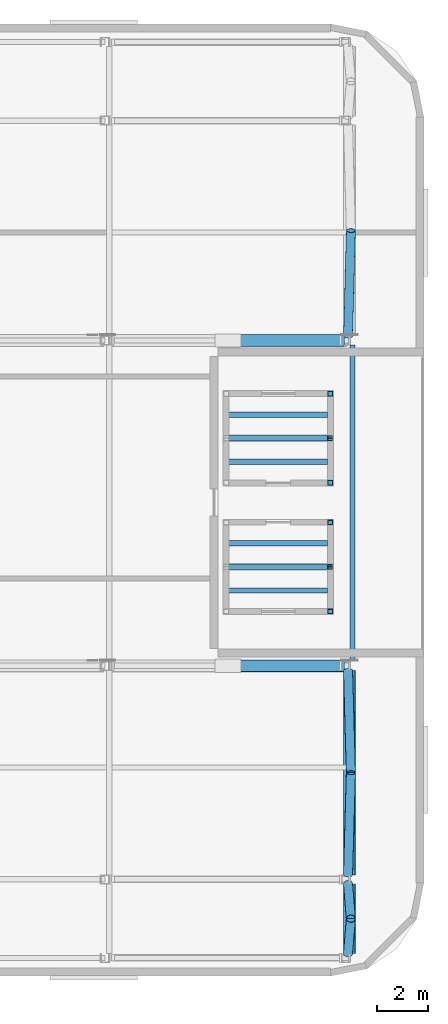
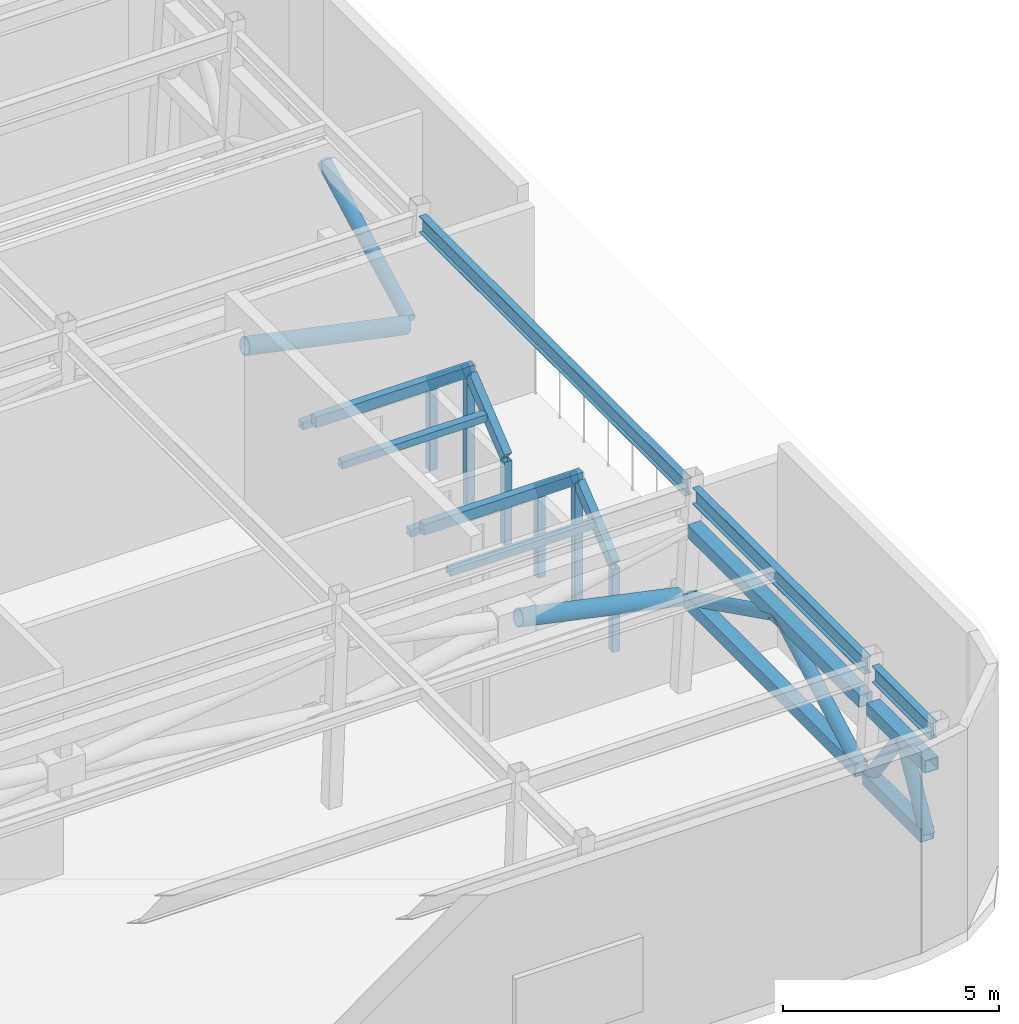
# One storey, part 5 of 12: 27 members, 3 beams.
"""IFC4 building model written with IfcOpenShell, lengths in metres."""

from ifc_helpers import new_model, si_unit, direction, frame, origin, origin_2d, place, context, subcontext, project, spatial, hollow_rectangle, hollow_circle, i_section, extrude, material, material_profile, profile_set, type_object, element, save


model = new_model("IFC4")

# Units and contexts
model_context = context("Model", 3, precision=1e-05, world=origin(), true_north=direction((0.0, 1.0)))
body_context = subcontext(model_context, "Body", "Model", "MODEL_VIEW")
ifc_project = project(units=[si_unit("LENGTHUNIT", "METRE"), si_unit("AREAUNIT", "SQUARE_METRE"), si_unit("VOLUMEUNIT", "CUBIC_METRE"), si_unit("PLANEANGLEUNIT", "RADIAN"), si_unit("MASSUNIT", "GRAM", prefix="KILO")], contexts=[model_context])

# Site, building, storey
site_placement = place(None, origin())
site = spatial("IfcSite", under=ifc_project, at=site_placement, CompositionType="ELEMENT")
building_placement = place(site_placement, origin())
building = spatial("IfcBuilding", under=site, at=building_placement, Name="Ochreholt Gables", CompositionType="ELEMENT")
storey_placement = place(building_placement, frame((0.0, 0.0, 287.0)))
storey = spatial("IfcBuildingStorey", under=building, at=storey_placement, Name="L75", CompositionType="ELEMENT", Elevation=287.0)

# Beams
ifc_material = material(Name="Steel CSA G40.21 350W", Category="steel")
ifc_material_profile_1 = material_profile(ifc_material, i_section(OverallWidth=0.19189453125, OverallDepth=0.462890625, WebThickness=0.010498046875, FlangeThickness=0.017578125, at=origin_2d()), Name="W460X89")
ifc_profile_set_1 = profile_set([ifc_material_profile_1], Name="Steel CSA G40.21 350W")
beam_type = type_object("IfcBeamType", Name="BM-SP-W460A", PredefinedType="SPANDREL", material=ifc_profile_set_1)
beam_1_placement = place(storey_placement, frame((59.618896484375, 6.377685546875, 5.468505859375), z_axis=(0.0, 1.0, 0.0), x_axis=(-1.0, 0.0, 0.0)))
element("IfcBeam", 1, at=beam_1_placement, inside=storey, type_object=beam_type, Name="L75 Beam TBN-L75-EE-Y1Y2", PredefinedType="SPANDREL", context=body_context, shape_type="SweptSolid", body=[
    extrude(i_section(OverallWidth=0.19189453125, OverallDepth=0.462890625, WebThickness=0.010498046875, FlangeThickness=0.017578125, at=origin_2d()), origin(), (0.0, 0.0, 1.0), 2.69482421875),
])
beam_2_placement = place(storey_placement, frame((59.618896484375, 9.427490234375, 5.468505859375), z_axis=(0.0, 1.0, 0.0), x_axis=(-1.0, 0.0, 0.0)))
element("IfcBeam", 2, at=beam_2_placement, inside=storey, type_object=beam_type, Name="L75 Beam TBN-L75-EE-Y2Y3", PredefinedType="SPANDREL", context=body_context, shape_type="SweptSolid", body=[
    extrude(i_section(OverallWidth=0.19189453125, OverallDepth=0.462890625, WebThickness=0.010498046875, FlangeThickness=0.017578125, at=origin_2d()), origin(), (0.0, 0.0, 1.0), 7.94482421875),
])
beam_3_placement = place(storey_placement, frame((59.618896484375, 17.7275390625, 5.468505859375), z_axis=(0.0, 1.0, 0.0), x_axis=(-1.0, 0.0, 0.0)))
element("IfcBeam", 3, at=beam_3_placement, inside=storey, type_object=beam_type, Name="L75 Beam TBN-L75-EE-Y3Y4", PredefinedType="SPANDREL", context=body_context, shape_type="SweptSolid", body=[
    extrude(i_section(OverallWidth=0.19189453125, OverallDepth=0.462890625, WebThickness=0.010498046875, FlangeThickness=0.017578125, at=origin_2d()), origin(), (0.0, 0.0, 1.0), 12.294921875),
])

# Members
ifc_material_profile_2 = material_profile(ifc_material, hollow_circle(Radius=0.177978515625, WallThickness=0.0126953125, at=origin_2d()), Name="CHS356X13")
ifc_profile_set_2 = profile_set([ifc_material_profile_2], Name="Steel CSA G40.21 350W")
member_type_1 = type_object("IfcMemberType", Name="MEM-BL-BR2", PredefinedType="BRACE", material=ifc_profile_set_2)
for number, where, z_axis, x_axis, name in (
    (4, (59.45361328125, 6.377685546875, 2.60009765625), (0.047410112741, 0.573807921536, 0.8176165057), (-0.99660404255, 0.082343077261, 0.0), "L75 Belt Truss Diagonal 1A"),
    (5, (59.45361328125, 9.072509765625, 2.60009765625), (0.047410112741, -0.573807921536, 0.8176165057), (0.99660404255, 0.082343077261, 0.0), "L75 Belt Truss Diagonal 1B"),
):
    element("IfcMember", number, at=place(storey_placement, frame(where, z_axis=z_axis, x_axis=x_axis)), inside=storey, type_object=member_type_1, Name=name, PredefinedType="BRACE", context=body_context, shape_type="SweptSolid", body=[
        extrude(hollow_circle(Radius=0.177978515625, WallThickness=0.0126953125, at=origin_2d()), origin(), (0.0, 0.0, 1.0), 2.34814453125),
    ])
for number, where, z_axis, x_axis, name in (
    (6, (59.45361328125, 9.427490234375, 2.60009765625), (0.025224732013, 0.90006933023, 0.435015992436), (-0.999607521868, 0.028014321798, 0.0), "L75 Belt Truss Diagonal 2A"),
    (7, (59.45361328125, 17.372314453125, 2.60009765625), (0.025224732013, -0.90006933023, 0.435015992436), (0.999607521868, 0.028014321798, 0.0), "L75 Belt Truss Diagonal 2B"),
):
    element("IfcMember", number, at=place(storey_placement, frame(where, z_axis=z_axis, x_axis=x_axis)), inside=storey, type_object=member_type_1, Name=name, PredefinedType="BRACE", context=body_context, shape_type="SweptSolid", body=[
        extrude(hollow_circle(Radius=0.177978515625, WallThickness=0.0126953125, at=origin_2d()), origin(), (0.0, 0.0, 1.0), 4.413330078125),
    ])
member_1_placement = place(storey_placement, frame((59.45361328125, 30.377685546875, 2.60009765625), z_axis=(0.024595901419, 0.905247836662, 0.42417142272), x_axis=(-0.999631090257, 0.027160327543, 0.0)))
element("IfcMember", 8, at=member_1_placement, inside=storey, type_object=member_type_1, Name="L75 Belt Truss Diagonal 3A", PredefinedType="BRACE", context=body_context, shape_type="SweptSolid", body=[
    extrude(hollow_circle(Radius=0.177978515625, WallThickness=0.0126953125, at=origin_2d()), origin(), (0.0, 0.0, 1.0), 4.5263671875),
])
ifc_material_profile_3 = material_profile(ifc_material, hollow_rectangle(XDim=0.35595703125, YDim=0.35595703125, WallThickness=0.01611328125, at=origin_2d()), Name="HSS356X356X16")
ifc_profile_set_3 = profile_set([ifc_material_profile_3], Name="Steel CSA G40.21 350W")
member_type_2 = type_object("IfcMemberType", Name="MEM-BL-CH2", PredefinedType="CHORD", material=ifc_profile_set_3)
for number, where, z_axis, x_axis, name in (
    (9, (59.45361328125, 6.377685546875, 2.60009765625), (0.0, 1.0, 0.0), (-1.0, 0.0, 0.0), "L75 Belt Truss Bottom Chord 1"),
    (10, (59.56494140625, 6.377685546875, 4.52001953125), (0.0, 1.0, 0.0), (-1.0, 0.0, 0.0), "L75 Belt Truss Top Chord 1"),
):
    element("IfcMember", number, at=place(storey_placement, frame(where, z_axis=z_axis, x_axis=x_axis)), inside=storey, type_object=member_type_2, Name=name, PredefinedType="CHORD", context=body_context, shape_type="SweptSolid", body=[
        extrude(hollow_rectangle(XDim=0.35595703125, YDim=0.35595703125, WallThickness=0.01611328125, at=origin_2d()), origin(), (0.0, 0.0, 1.0), 2.69482421875),
    ])
for number, where, z_axis, x_axis, name in (
    (11, (59.45361328125, 9.427490234375, 2.60009765625), (0.0, 1.0, 0.0), (-1.0, 0.0, 0.0), "L75 Belt Truss Bottom Chord 2"),
    (12, (59.56494140625, 9.427490234375, 4.52001953125), (0.0, 1.0, 0.0), (-1.0, 0.0, 0.0), "L75 Belt Truss Top Chord 2"),
):
    element("IfcMember", number, at=place(storey_placement, frame(where, z_axis=z_axis, x_axis=x_axis)), inside=storey, type_object=member_type_2, Name=name, PredefinedType="CHORD", context=body_context, shape_type="SweptSolid", body=[
        extrude(hollow_rectangle(XDim=0.35595703125, YDim=0.35595703125, WallThickness=0.01611328125, at=origin_2d()), origin(), (0.0, 0.0, 1.0), 7.94482421875),
    ])
ifc_material_profile_4 = material_profile(ifc_material, hollow_rectangle(XDim=0.202880859375, YDim=0.202880859375, WallThickness=0.009521484375, at=origin_2d()), Name="HSS203X203X10")
ifc_profile_set_4 = profile_set([ifc_material_profile_4], Name="Steel CSA G40.21 350W")
member_type_3 = type_object("IfcMemberType", Name="MEM-GB-PR1", PredefinedType="PURLIN", material=ifc_profile_set_4)
for number, where, z_axis, x_axis, name in (
    (13, (54.797119140625, 20.484619140625, 3.112548828125), (1.0, 0.0, 0.0), (0.0, 1.0, 0.0), "L75 Gable South Purlin GB-75C1"),
    (14, (54.797119140625, 22.315673828125, 3.112548828125), (1.0, 0.0, 0.0), (0.0, 1.0, 0.0), "L75 Gable North Purlin GB-75C1"),
    (15, (54.797119140625, 25.484619140625, 3.112548828125), (1.0, 0.0, 0.0), (0.0, 1.0, 0.0), "L75 Gable South Purlin GB-75C2"),
    (16, (54.797119140625, 27.315673828125, 3.112548828125), (1.0, 0.0, 0.0), (0.0, 1.0, 0.0), "L75 Gable North Purlin GB-75C2"),
):
    element("IfcMember", number, at=place(storey_placement, frame(where, z_axis=z_axis, x_axis=x_axis)), inside=storey, type_object=member_type_3, Name=name, PredefinedType="PURLIN", context=body_context, shape_type="SweptSolid", body=[
        extrude(hollow_rectangle(XDim=0.202880859375, YDim=0.202880859375, WallThickness=0.009521484375, at=origin_2d()), origin(), (0.0, 0.0, 1.0), 3.885986328125),
    ])
ifc_material_profile_5 = material_profile(ifc_material, hollow_rectangle(XDim=0.202880859375, YDim=0.202880859375, WallThickness=0.009521484375, at=origin_2d()), Name="HSS203X203X10")
ifc_profile_set_5 = profile_set([ifc_material_profile_5], Name="Steel CSA G40.21 350W")
member_type_4 = type_object("IfcMemberType", Name="MEM-GB-PT2", PredefinedType="POST", material=ifc_profile_set_5)
for number, where, z_axis, x_axis, name in (
    (17, (58.760009765625, 19.669921875, 0.0), (0.0, 0.0, 1.0), (1.0, 0.0, 0.0), "L75 Gable Pavilion Post GB-75C1-P2"),
    (18, (58.760009765625, 23.1298828125, 0.0), (0.0, 0.0, 1.0), (1.0, 0.0, 0.0), "L75 Gable Pavilion Post GB-75C1-P3"),
):
    element("IfcMember", number, at=place(storey_placement, frame(where, z_axis=z_axis, x_axis=x_axis)), inside=storey, type_object=member_type_4, Name=name, PredefinedType="POST", context=body_context, shape_type="SweptSolid", body=[
        extrude(hollow_rectangle(XDim=0.202880859375, YDim=0.202880859375, WallThickness=0.009521484375, at=origin_2d()), origin(), (0.0, 0.0, 1.0), 2.33984375),
    ])
member_2_placement = place(storey_placement, frame((58.760009765625, 21.39990234375, 0.0), z_axis=(0.0, 0.0, 1.0), x_axis=(1.0, 0.0, 0.0)))
element("IfcMember", 19, at=member_2_placement, inside=storey, type_object=member_type_4, Name="L75 Gable Ridge Post GB-75C1-PRG2", PredefinedType="POST", context=body_context, shape_type="SweptSolid", body=[
    extrude(hollow_rectangle(XDim=0.202880859375, YDim=0.202880859375, WallThickness=0.009521484375, at=origin_2d()), origin(), (0.0, 0.0, 1.0), 3.698974609375),
])
for number, where, z_axis, x_axis, name in (
    (20, (58.760009765625, 24.669921875, 0.0), (0.0, 0.0, 1.0), (1.0, 0.0, 0.0), "L75 Gable Pavilion Post GB-75C2-P2"),
    (21, (58.760009765625, 28.1298828125, 0.0), (0.0, 0.0, 1.0), (1.0, 0.0, 0.0), "L75 Gable Pavilion Post GB-75C2-P3"),
):
    element("IfcMember", number, at=place(storey_placement, frame(where, z_axis=z_axis, x_axis=x_axis)), inside=storey, type_object=member_type_4, Name=name, PredefinedType="POST", context=body_context, shape_type="SweptSolid", body=[
        extrude(hollow_rectangle(XDim=0.202880859375, YDim=0.202880859375, WallThickness=0.009521484375, at=origin_2d()), origin(), (0.0, 0.0, 1.0), 2.33984375),
    ])
member_3_placement = place(storey_placement, frame((58.760009765625, 26.39990234375, 0.0), z_axis=(0.0, 0.0, 1.0), x_axis=(1.0, 0.0, 0.0)))
element("IfcMember", 22, at=member_3_placement, inside=storey, type_object=member_type_4, Name="L75 Gable Ridge Post GB-75C2-PRG2", PredefinedType="POST", context=body_context, shape_type="SweptSolid", body=[
    extrude(hollow_rectangle(XDim=0.202880859375, YDim=0.202880859375, WallThickness=0.009521484375, at=origin_2d()), origin(), (0.0, 0.0, 1.0), 3.698974609375),
])
ifc_material_profile_6 = material_profile(ifc_material, hollow_rectangle(XDim=0.202880859375, YDim=0.304931640625, WallThickness=0.0126953125, at=origin_2d()), Name="HSS305X203X13")
ifc_profile_set_6 = profile_set([ifc_material_profile_6], Name="Steel CSA G40.21 350W")
member_type_5 = type_object("IfcMemberType", Name="MEM-GB-RF1", PredefinedType="RAFTER", material=ifc_profile_set_6)
member_4_placement = place(storey_placement, frame((58.760009765625, 19.669921875, 2.43359375), z_axis=(0.0, 0.777366954091, 0.629047389858), x_axis=(-1.0, 0.0, 0.0)))
element("IfcMember", 23, at=member_4_placement, inside=storey, type_object=member_type_5, Name="L75 Gable South Rafter 2 GB-75C1", PredefinedType="RAFTER", context=body_context, shape_type="SweptSolid", body=[
    extrude(hollow_rectangle(XDim=0.202880859375, YDim=0.304931640625, WallThickness=0.0126953125, at=origin_2d()), origin(), (0.0, 0.0, 1.0), 2.095458984375),
])
member_5_placement = place(storey_placement, frame((58.760009765625, 23.1298828125, 2.43359375), z_axis=(0.0, -0.777320844022, 0.629104367692), x_axis=(1.0, 0.0, 0.0)))
element("IfcMember", 24, at=member_5_placement, inside=storey, type_object=member_type_5, Name="L75 Gable North Rafter 2 GB-75C1", PredefinedType="RAFTER", context=body_context, shape_type="SweptSolid", body=[
    extrude(hollow_rectangle(XDim=0.202880859375, YDim=0.304931640625, WallThickness=0.0126953125, at=origin_2d()), origin(), (0.0, 0.0, 1.0), 2.09521484375),
])
member_6_placement = place(storey_placement, frame((58.760009765625, 24.669921875, 2.43359375), z_axis=(0.0, 0.777366954091, 0.629047389858), x_axis=(-1.0, 0.0, 0.0)))
element("IfcMember", 25, at=member_6_placement, inside=storey, type_object=member_type_5, Name="L75 Gable South Rafter 2 GB-75C2", PredefinedType="RAFTER", context=body_context, shape_type="SweptSolid", body=[
    extrude(hollow_rectangle(XDim=0.202880859375, YDim=0.304931640625, WallThickness=0.0126953125, at=origin_2d()), origin(), (0.0, 0.0, 1.0), 2.095458984375),
])
member_7_placement = place(storey_placement, frame((58.760009765625, 28.1298828125, 2.43359375), z_axis=(0.0, -0.777320844022, 0.629104367692), x_axis=(1.0, 0.0, 0.0)))
element("IfcMember", 26, at=member_7_placement, inside=storey, type_object=member_type_5, Name="L75 Gable North Rafter 2 GB-75C2", PredefinedType="RAFTER", context=body_context, shape_type="SweptSolid", body=[
    extrude(hollow_rectangle(XDim=0.202880859375, YDim=0.304931640625, WallThickness=0.0126953125, at=origin_2d()), origin(), (0.0, 0.0, 1.0), 2.09521484375),
])
ifc_material_profile_7 = material_profile(ifc_material, hollow_rectangle(XDim=0.202880859375, YDim=0.304931640625, WallThickness=0.0126953125, at=origin_2d()), Name="HSS305X203X13")
ifc_profile_set_7 = profile_set([ifc_material_profile_7], Name="Steel CSA G40.21 350W")
member_type_6 = type_object("IfcMemberType", Name="MEM-GB-RF1E", PredefinedType="RAFTER", material=ifc_profile_set_7)
for number, where, z_axis, x_axis, name in (
    (27, (54.6201171875, 21.39990234375, 3.83349609375), (1.0, 0.0, 0.0), (0.0, 1.0, 0.0), "L75 Gable Ridge Member GB-75C1"),
    (28, (54.6201171875, 26.39990234375, 3.83349609375), (1.0, 0.0, 0.0), (0.0, 1.0, 0.0), "L75 Gable Ridge Member GB-75C2"),
):
    element("IfcMember", number, at=place(storey_placement, frame(where, z_axis=z_axis, x_axis=x_axis)), inside=storey, type_object=member_type_6, Name=name, PredefinedType="RAFTER", context=body_context, shape_type="SweptSolid", body=[
        extrude(hollow_rectangle(XDim=0.202880859375, YDim=0.304931640625, WallThickness=0.0126953125, at=origin_2d()), origin(), (0.0, 0.0, 1.0), 4.239990234375),
    ])
ifc_material_profile_8 = material_profile(ifc_material, hollow_circle(Radius=0.228515625, WallThickness=0.01611328125, at=origin_2d()), Name="CHS457X16")
ifc_profile_set_8 = profile_set([ifc_material_profile_8], Name="Steel CSA G40.21 350W")
member_type_7 = type_object("IfcMemberType", Name="MEM-OU-BR1", PredefinedType="BRACE", material=ifc_profile_set_8)
for number, where, z_axis, x_axis, name in (
    (29, (59.27587890625, 17.550048828125, 2.60009765625), (-0.978134479385, 0.0, 0.207973412335), (0.0, -1.0, 0.0), "L75 Outrigger Truss S Split Diagonal 4A"),
    (30, (59.27587890625, 30.199951171875, 2.60009765625), (-0.978134479385, 0.0, 0.207973412335), (0.0, -1.0, 0.0), "L75 Outrigger Truss N Split Diagonal 4A"),
):
    element("IfcMember", number, at=place(storey_placement, frame(where, z_axis=z_axis, x_axis=x_axis)), inside=storey, type_object=member_type_7, Name=name, PredefinedType="BRACE", context=body_context, shape_type="SweptSolid", body=[
        extrude(hollow_circle(Radius=0.228515625, WallThickness=0.01611328125, at=origin_2d()), origin(), (0.0, 0.0, 1.0), 4.40576171875),
    ])

save(model, "model.ifc")
